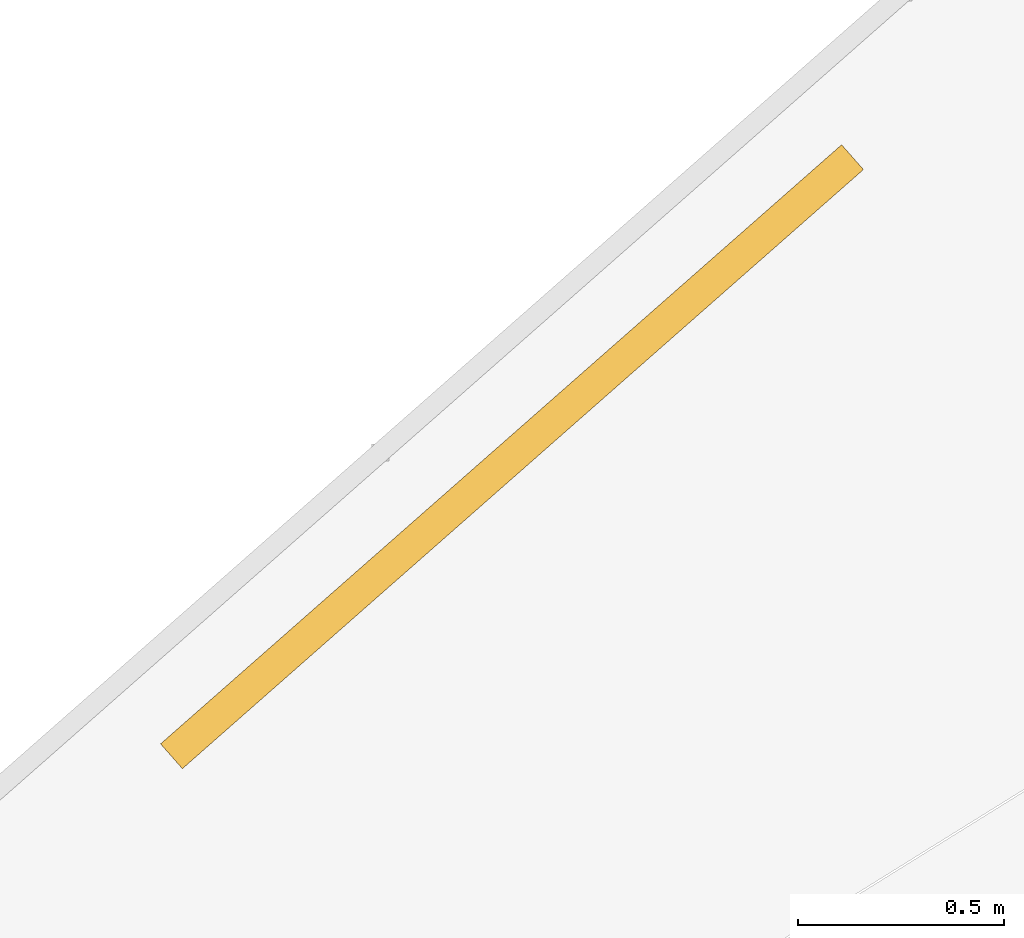
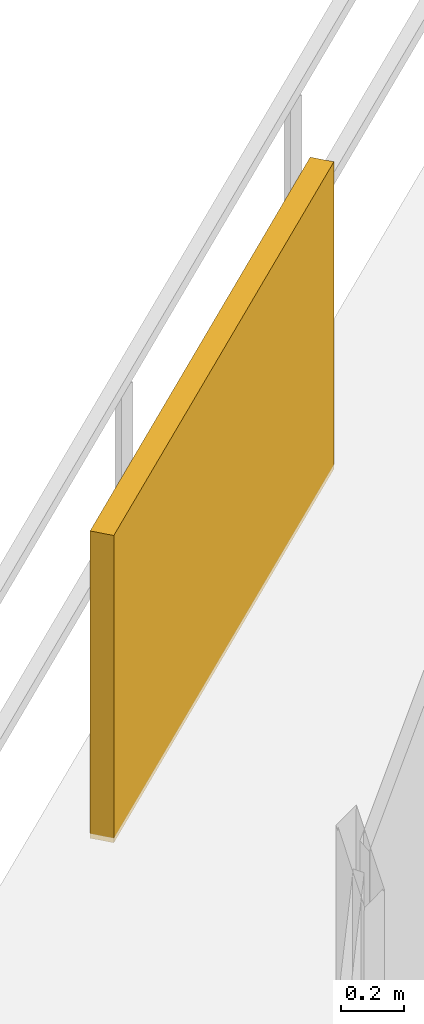
# One storey, part 29 of 30: 1 shading device.
"""IFC4 building model written with IfcOpenShell, lengths in metres."""

import ifcopenshell
import ifcopenshell.guid

model = None  # the IFC model being written
_history = None  # IfcOwnerHistory: only IFC2X3 demands one
_inside = {}  # id of a spatial element -> (the spatial element, [elements in it])
_under = {}  # id of a project, library or spatial element -> (it, [spatial elements below it])
_declared = {}  # id of a project -> (the project, [libraries it declares])
_typed = {}  # id of a type object -> (the type object, [elements of that type])
_made_of = {}  # id of a material, layer set ... -> (it, [elements and type objects made of it])


def new_model(schema):
    """Start an empty IFC model of exactly this schema.

    Asked for "IFC4X3", IfcOpenShell would pick the latest addendum, in which some entities
    have other attributes; the version numbers below select the first issue.
    IFC2X3 requires an IfcOwnerHistory on every rooted entity: one is made here for all.
    """
    global model, _history
    if schema == "IFC4X3":
        model = ifcopenshell.file(schema_version=(4, 3, 0, 0))
    else:
        model = ifcopenshell.file(schema=schema)
    _inside.clear()
    _under.clear()
    _declared.clear()
    _typed.clear()
    _made_of.clear()
    _history = None
    if model.schema == "IFC2X3":
        org = make("IfcOrganization", Name="unknown")
        user = make(
            "IfcPersonAndOrganization",
            ThePerson=make("IfcPerson", FamilyName="unknown"),
            TheOrganization=org,
        )
        app = make(
            "IfcApplication",
            ApplicationDeveloper=org,
            Version="unknown",
            ApplicationFullName="unknown",
            ApplicationIdentifier="unknown",
        )
        _history = make(
            "IfcOwnerHistory",
            OwningUser=user,
            OwningApplication=app,
            ChangeAction="ADDED",
            CreationDate=0,
        )
    return model


def make(cls, **values):
    """One entity of the class cls with the attributes given. An attribute that is None is left unset."""
    return model.create_entity(
        cls, **{name: value for name, value in values.items() if value is not None}
    )


def rooted(cls, **values):
    """An entity with a GlobalId (a new one), such as an element, a storey or a relation."""
    return make(cls, GlobalId=ifcopenshell.guid.new(), OwnerHistory=_history, **values)


def si_unit(unit_type, name, prefix=None):
    """IfcSIUnit, for example si_unit("LENGTHUNIT", "METRE", prefix="MILLI")."""
    return make("IfcSIUnit", UnitType=unit_type, Prefix=prefix, Name=name)


def assignment(units):
    """IfcUnitAssignment: the units of a project."""
    return None if units is None else make("IfcUnitAssignment", Units=units)


def point(xyz):
    """IfcCartesianPoint."""
    return None if xyz is None else make("IfcCartesianPoint", Coordinates=xyz)


def direction(xyz):
    """IfcDirection."""
    return None if xyz is None else make("IfcDirection", DirectionRatios=xyz)


def frame(location, z_axis=None, x_axis=None):
    """IfcAxis2Placement3D, a coordinate frame: its origin and axes. An axis left out is left unset."""
    return make(
        "IfcAxis2Placement3D",
        Location=point(location),
        Axis=direction(z_axis),
        RefDirection=direction(x_axis),
    )


def frame_2d(location, x_axis=None):
    """IfcAxis2Placement2D, a coordinate frame in the plane: its origin and x axis."""
    return make(
        "IfcAxis2Placement2D", Location=point(location), RefDirection=direction(x_axis)
    )


def origin():
    """The frame at (0, 0, 0) with its axes left unset."""
    return frame((0.0, 0.0, 0.0))


def origin_2d():
    """The frame at (0, 0) in the plane with its x axis left unset."""
    return frame_2d((0.0, 0.0))


def place(relative_to, where):
    """IfcLocalPlacement: puts the frame where relative to a parent placement (None: the world)."""
    return make(
        "IfcLocalPlacement", PlacementRelTo=relative_to, RelativePlacement=where
    )


def context(
    kind, dimensions, precision=None, world=None, true_north=None, identifier=None
):
    """IfcGeometricRepresentationContext, for example the 3D "Model" context."""
    return make(
        "IfcGeometricRepresentationContext",
        ContextIdentifier=identifier,
        ContextType=kind,
        CoordinateSpaceDimension=dimensions,
        Precision=precision,
        WorldCoordinateSystem=world,
        TrueNorth=true_north,
    )


def subcontext(parent, identifier, kind, view, scale=None):
    """IfcGeometricRepresentationSubContext, for example "Body" below "Model"."""
    return make(
        "IfcGeometricRepresentationSubContext",
        ContextIdentifier=identifier,
        ContextType=kind,
        ParentContext=parent,
        TargetScale=scale,
        TargetView=view,
    )


def project(units=None, contexts=None):
    """IfcProject with its units and contexts."""
    return rooted(
        "IfcProject",
        Name="project",
        RepresentationContexts=contexts,
        UnitsInContext=assignment(units),
    )


def spatial(cls, under=None, at=None, **own):
    """A site, building, storey or space (cls), placed at a placement, below another one or the project."""
    s = rooted(cls, ObjectPlacement=at, **own)
    if under is not None:
        _under.setdefault(under.id(), (under, []))[1].append(s)
    return s


def profile(cls, at=None, kind="AREA", **sizes):
    """A parametric profile (cls). Its sizes go by their IFC names, for example OverallWidth=200.0."""
    return make(cls, ProfileType=kind, Position=at, **sizes)


def rectangle(**sizes):
    """IfcRectangleProfileDef."""
    return profile("IfcRectangleProfileDef", **sizes)


def extrude(swept, where, along, depth):
    """IfcExtrudedAreaSolid: the profile swept, set in the frame where, extruded along a direction by depth."""
    return make(
        "IfcExtrudedAreaSolid",
        SweptArea=swept,
        Position=where,
        ExtrudedDirection=direction(along),
        Depth=depth,
    )


def shape(context_of_items, identifier, shape_type, items):
    """IfcShapeRepresentation: the items that make up one representation, for example the "Body"."""
    return make(
        "IfcShapeRepresentation",
        ContextOfItems=context_of_items,
        RepresentationIdentifier=identifier,
        RepresentationType=shape_type,
        Items=items,
    )


def material(Name=None, Category=None):
    """IfcMaterial."""
    return make("IfcMaterial", Name=Name, Category=Category)


def made_of(thing, what):
    """Note that an element or type object is made of a material, layer set ...; save() writes the relation."""
    if what is not None:
        _made_of.setdefault(what.id(), (what, []))[1].append(thing)
    return thing


def type_object(cls, material=None, **own):
    """A type object (cls), such as IfcWallType, which elements share."""
    return made_of(rooted(cls, **own), material)


def element(
    cls,
    number,
    at=None,
    inside=None,
    cuts=None,
    type_object=None,
    material=None,
    context=None,
    identifier="Body",
    shape_type=None,
    held_by="IfcProductDefinitionShape",
    body=None,
    shapes=None,
    **own,
):
    """One element of the class cls, such as IfcWall. Its Tag is "e" and its number.

    at: its placement. inside: the storey or other place that contains it. cuts: it is an
    opening in that element (IfcRelVoidsElement). A single representation is given by context,
    identifier, shape_type and body (its items); several are given by shapes. held_by: the class
    of the entity that holds the representations. save() writes the other relations.
    """
    e = rooted(cls, Tag="e%d" % number, ObjectPlacement=at, **own)
    if body is not None:
        shapes = [shape(context, identifier, shape_type, body)]
    if shapes is not None:
        e.Representation = make(held_by, Representations=shapes)
    if inside is not None:
        _inside.setdefault(inside.id(), (inside, []))[1].append(e)
    if cuts is not None:
        rooted(
            "IfcRelVoidsElement", RelatingBuildingElement=cuts, RelatedOpeningElement=e
        )
    if type_object is not None:
        _typed.setdefault(type_object.id(), (type_object, []))[1].append(e)
    return made_of(e, material)


def aggregate(whole, parts):
    """IfcRelAggregates: a whole, such as a stair, and the parts it consists of."""
    return rooted("IfcRelAggregates", RelatingObject=whole, RelatedObjects=parts)


def save(model, path):
    """Write the relations noted so far, then the file.

    IfcRelAggregates (storeys below a building ...), IfcRelContainedInSpatialStructure (elements
    in a storey), IfcRelDefinesByType, IfcRelAssociatesMaterial and IfcRelDeclares: one each for
    every whole, place, type object, material and project.
    """
    for whole, parts in _under.values():
        aggregate(whole, parts)
    for where, things in _inside.values():
        rooted(
            "IfcRelContainedInSpatialStructure",
            RelatedElements=things,
            RelatingStructure=where,
        )
    for kind, things in _typed.values():
        rooted("IfcRelDefinesByType", RelatedObjects=things, RelatingType=kind)
    for what, things in _made_of.values():
        rooted("IfcRelAssociatesMaterial", RelatedObjects=things, RelatingMaterial=what)
    for by, libraries in _declared.values():
        rooted("IfcRelDeclares", RelatingContext=by, RelatedDefinitions=libraries)
    model.write(path)


model = new_model("IFC4")

# Units and contexts
model_context = context("Model", 3, precision=1e-05, world=origin(), true_north=direction((0.0, 1.0)))
body_context = subcontext(model_context, "Body", "Model", "MODEL_VIEW")
ifc_project = project(units=[si_unit("LENGTHUNIT", "METRE"), si_unit("AREAUNIT", "SQUARE_METRE"), si_unit("VOLUMEUNIT", "CUBIC_METRE"), si_unit("PLANEANGLEUNIT", "RADIAN"), si_unit("MASSUNIT", "GRAM", prefix="KILO")], contexts=[model_context])

# Site, building, storey
site_placement = place(None, origin())
site = spatial("IfcSite", under=ifc_project, at=site_placement, CompositionType="ELEMENT")
building_placement = place(site_placement, origin())
building = spatial("IfcBuilding", under=site, at=building_placement, Name="Vorneva Point Tower", CompositionType="ELEMENT")
storey_placement = place(building_placement, frame((0.0, 0.0, 241.35009765625)))
storey = spatial("IfcBuildingStorey", under=building, at=storey_placement, Name="L65", CompositionType="ELEMENT", Elevation=241.35009765625)

# Shading device
ifc_material = material(Name="Pale anodised aluminium", Category="aluminium")
shading_device_type = type_object("IfcShadingDeviceType", Name="SHD-JAL-1200", PredefinedType="JALOUSIE", material=ifc_material)
shading_device_placement = place(storey_placement, frame((20.200927734375, 42.2158203125, -0.02001953125), z_axis=(0.0, 0.0, 1.0), x_axis=(-0.750837766406, -0.660486675519, 0.0)))
element("IfcShadingDevice", 1, at=shading_device_placement, inside=storey, type_object=shading_device_type, Name="L65 Balcony Vertical-Greenery Planter Screen NW.2", PredefinedType="JALOUSIE", context=body_context, shape_type="SweptSolid", body=[
    extrude(rectangle(XDim=2.199951171875, YDim=0.080078125, at=origin_2d()), origin(), (0.0, 0.0, 1.0), 1.199951171875),
])

save(model, "model.ifc")
